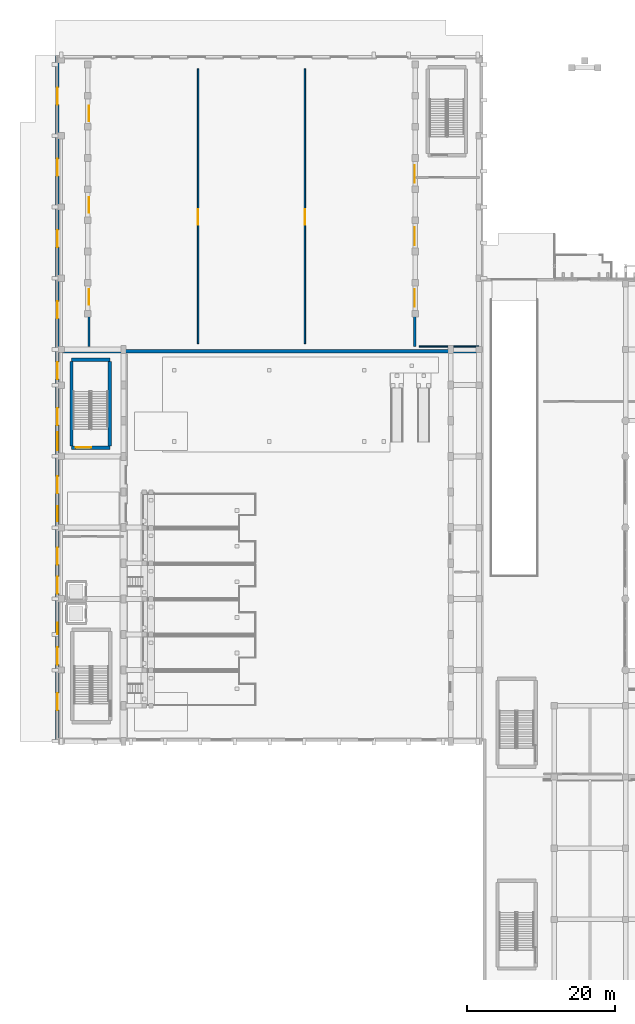
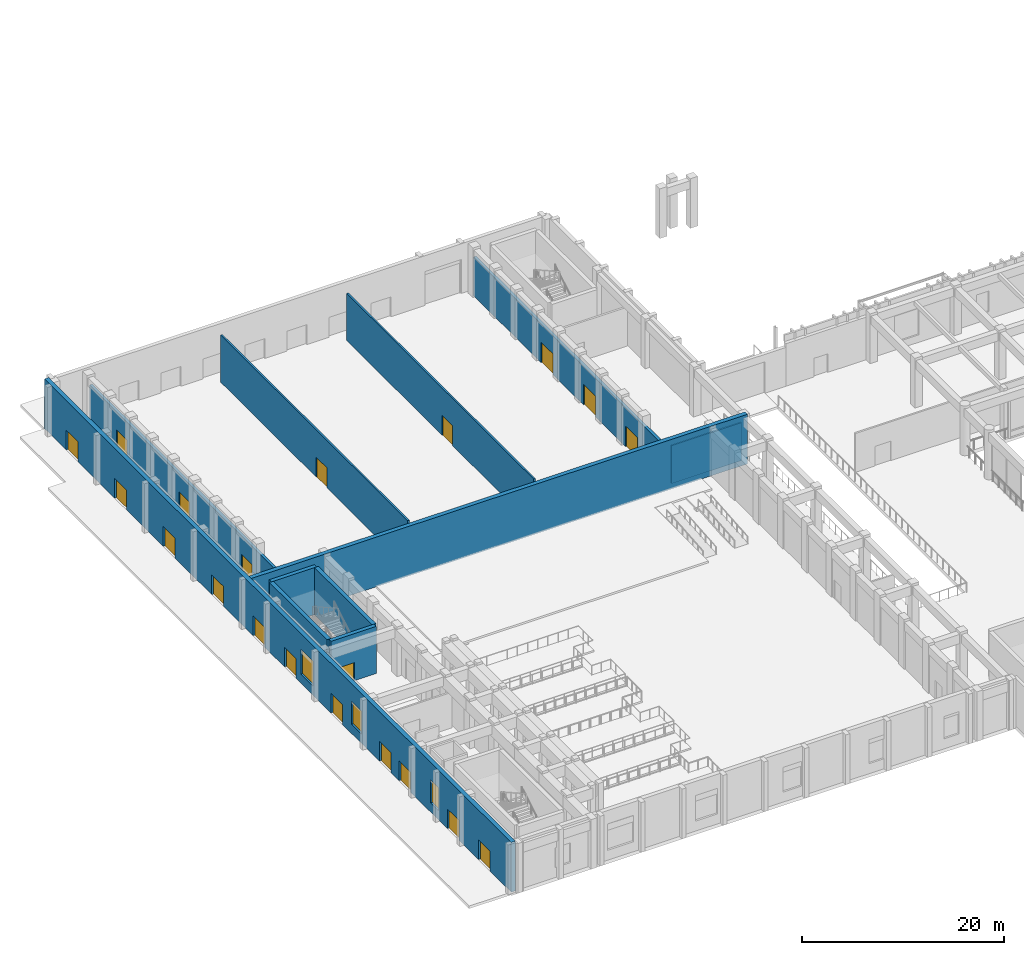
# One storey, part 44 of 87: 20 doors, 11 walls, 3 windows, 23 openings.
"""IFC4 building model written with IfcOpenShell, lengths in metres."""

import ifcopenshell
import ifcopenshell.guid

model = None  # the IFC model being written
_history = None  # IfcOwnerHistory: only IFC2X3 demands one
_inside = {}  # id of a spatial element -> (the spatial element, [elements in it])
_under = {}  # id of a project, library or spatial element -> (it, [spatial elements below it])
_declared = {}  # id of a project -> (the project, [libraries it declares])
_typed = {}  # id of a type object -> (the type object, [elements of that type])
_made_of = {}  # id of a material, layer set ... -> (it, [elements and type objects made of it])


def new_model(schema):
    """Start an empty IFC model of exactly this schema.

    Asked for "IFC4X3", IfcOpenShell would pick the latest addendum, in which some entities
    have other attributes; the version numbers below select the first issue.
    IFC2X3 requires an IfcOwnerHistory on every rooted entity: one is made here for all.
    """
    global model, _history
    if schema == "IFC4X3":
        model = ifcopenshell.file(schema_version=(4, 3, 0, 0))
    else:
        model = ifcopenshell.file(schema=schema)
    _inside.clear()
    _under.clear()
    _declared.clear()
    _typed.clear()
    _made_of.clear()
    _history = None
    if model.schema == "IFC2X3":
        org = make("IfcOrganization", Name="unknown")
        user = make(
            "IfcPersonAndOrganization",
            ThePerson=make("IfcPerson", FamilyName="unknown"),
            TheOrganization=org,
        )
        app = make(
            "IfcApplication",
            ApplicationDeveloper=org,
            Version="unknown",
            ApplicationFullName="unknown",
            ApplicationIdentifier="unknown",
        )
        _history = make(
            "IfcOwnerHistory",
            OwningUser=user,
            OwningApplication=app,
            ChangeAction="ADDED",
            CreationDate=0,
        )
    return model


def make(cls, **values):
    """One entity of the class cls with the attributes given. An attribute that is None is left unset."""
    return model.create_entity(
        cls, **{name: value for name, value in values.items() if value is not None}
    )


def rooted(cls, **values):
    """An entity with a GlobalId (a new one), such as an element, a storey or a relation."""
    return make(cls, GlobalId=ifcopenshell.guid.new(), OwnerHistory=_history, **values)


def si_unit(unit_type, name, prefix=None):
    """IfcSIUnit, for example si_unit("LENGTHUNIT", "METRE", prefix="MILLI")."""
    return make("IfcSIUnit", UnitType=unit_type, Prefix=prefix, Name=name)


def assignment(units):
    """IfcUnitAssignment: the units of a project."""
    return None if units is None else make("IfcUnitAssignment", Units=units)


def point(xyz):
    """IfcCartesianPoint."""
    return None if xyz is None else make("IfcCartesianPoint", Coordinates=xyz)


def direction(xyz):
    """IfcDirection."""
    return None if xyz is None else make("IfcDirection", DirectionRatios=xyz)


def frame(location, z_axis=None, x_axis=None):
    """IfcAxis2Placement3D, a coordinate frame: its origin and axes. An axis left out is left unset."""
    return make(
        "IfcAxis2Placement3D",
        Location=point(location),
        Axis=direction(z_axis),
        RefDirection=direction(x_axis),
    )


def frame_2d(location, x_axis=None):
    """IfcAxis2Placement2D, a coordinate frame in the plane: its origin and x axis."""
    return make(
        "IfcAxis2Placement2D", Location=point(location), RefDirection=direction(x_axis)
    )


def origin():
    """The frame at (0, 0, 0) with its axes left unset."""
    return frame((0.0, 0.0, 0.0))


def place(relative_to, where):
    """IfcLocalPlacement: puts the frame where relative to a parent placement (None: the world)."""
    return make(
        "IfcLocalPlacement", PlacementRelTo=relative_to, RelativePlacement=where
    )


def context(
    kind, dimensions, precision=None, world=None, true_north=None, identifier=None
):
    """IfcGeometricRepresentationContext, for example the 3D "Model" context."""
    return make(
        "IfcGeometricRepresentationContext",
        ContextIdentifier=identifier,
        ContextType=kind,
        CoordinateSpaceDimension=dimensions,
        Precision=precision,
        WorldCoordinateSystem=world,
        TrueNorth=true_north,
    )


def subcontext(parent, identifier, kind, view, scale=None):
    """IfcGeometricRepresentationSubContext, for example "Body" below "Model"."""
    return make(
        "IfcGeometricRepresentationSubContext",
        ContextIdentifier=identifier,
        ContextType=kind,
        ParentContext=parent,
        TargetScale=scale,
        TargetView=view,
    )


def project(units=None, contexts=None):
    """IfcProject with its units and contexts."""
    return rooted(
        "IfcProject",
        Name="project",
        RepresentationContexts=contexts,
        UnitsInContext=assignment(units),
    )


def spatial(cls, under=None, at=None, **own):
    """A site, building, storey or space (cls), placed at a placement, below another one or the project."""
    s = rooted(cls, ObjectPlacement=at, **own)
    if under is not None:
        _under.setdefault(under.id(), (under, []))[1].append(s)
    return s


def profile(cls, at=None, kind="AREA", **sizes):
    """A parametric profile (cls). Its sizes go by their IFC names, for example OverallWidth=200.0."""
    return make(cls, ProfileType=kind, Position=at, **sizes)


def rectangle(**sizes):
    """IfcRectangleProfileDef."""
    return profile("IfcRectangleProfileDef", **sizes)


def extrude(swept, where, along, depth):
    """IfcExtrudedAreaSolid: the profile swept, set in the frame where, extruded along a direction by depth."""
    return make(
        "IfcExtrudedAreaSolid",
        SweptArea=swept,
        Position=where,
        ExtrudedDirection=direction(along),
        Depth=depth,
    )


def shape(context_of_items, identifier, shape_type, items):
    """IfcShapeRepresentation: the items that make up one representation, for example the "Body"."""
    return make(
        "IfcShapeRepresentation",
        ContextOfItems=context_of_items,
        RepresentationIdentifier=identifier,
        RepresentationType=shape_type,
        Items=items,
    )


def material(Name=None, Category=None):
    """IfcMaterial."""
    return make("IfcMaterial", Name=Name, Category=Category)


def layer(
    of_material, thickness, ventilated=None, Name=None, Category=None, Priority=None
):
    """IfcMaterialLayer: one layer of a wall or slab, of a material (None: an air gap)."""
    return make(
        "IfcMaterialLayer",
        Material=of_material,
        LayerThickness=thickness,
        IsVentilated=ventilated,
        Name=Name,
        Category=Category,
        Priority=Priority,
    )


def layer_set(layers, Name=None):
    """IfcMaterialLayerSet."""
    return make("IfcMaterialLayerSet", MaterialLayers=layers, LayerSetName=Name)


def made_of(thing, what):
    """Note that an element or type object is made of a material, layer set ...; save() writes the relation."""
    if what is not None:
        _made_of.setdefault(what.id(), (what, []))[1].append(thing)
    return thing


def type_object(cls, material=None, **own):
    """A type object (cls), such as IfcWallType, which elements share."""
    return made_of(rooted(cls, **own), material)


def element(
    cls,
    number,
    at=None,
    inside=None,
    cuts=None,
    type_object=None,
    material=None,
    context=None,
    identifier="Body",
    shape_type=None,
    held_by="IfcProductDefinitionShape",
    body=None,
    shapes=None,
    **own,
):
    """One element of the class cls, such as IfcWall. Its Tag is "e" and its number.

    at: its placement. inside: the storey or other place that contains it. cuts: it is an
    opening in that element (IfcRelVoidsElement). A single representation is given by context,
    identifier, shape_type and body (its items); several are given by shapes. held_by: the class
    of the entity that holds the representations. save() writes the other relations.
    """
    e = rooted(cls, Tag="e%d" % number, ObjectPlacement=at, **own)
    if body is not None:
        shapes = [shape(context, identifier, shape_type, body)]
    if shapes is not None:
        e.Representation = make(held_by, Representations=shapes)
    if inside is not None:
        _inside.setdefault(inside.id(), (inside, []))[1].append(e)
    if cuts is not None:
        rooted(
            "IfcRelVoidsElement", RelatingBuildingElement=cuts, RelatedOpeningElement=e
        )
    if type_object is not None:
        _typed.setdefault(type_object.id(), (type_object, []))[1].append(e)
    return made_of(e, material)


def fill(opening, filler):
    """IfcRelFillsElement: the door or window that sits in an opening."""
    return rooted(
        "IfcRelFillsElement",
        RelatingOpeningElement=opening,
        RelatedBuildingElement=filler,
    )


def aggregate(whole, parts):
    """IfcRelAggregates: a whole, such as a stair, and the parts it consists of."""
    return rooted("IfcRelAggregates", RelatingObject=whole, RelatedObjects=parts)


def save(model, path):
    """Write the relations noted so far, then the file.

    IfcRelAggregates (storeys below a building ...), IfcRelContainedInSpatialStructure (elements
    in a storey), IfcRelDefinesByType, IfcRelAssociatesMaterial and IfcRelDeclares: one each for
    every whole, place, type object, material and project.
    """
    for whole, parts in _under.values():
        aggregate(whole, parts)
    for where, things in _inside.values():
        rooted(
            "IfcRelContainedInSpatialStructure",
            RelatedElements=things,
            RelatingStructure=where,
        )
    for kind, things in _typed.values():
        rooted("IfcRelDefinesByType", RelatedObjects=things, RelatingType=kind)
    for what, things in _made_of.values():
        rooted("IfcRelAssociatesMaterial", RelatedObjects=things, RelatingMaterial=what)
    for by, libraries in _declared.values():
        rooted("IfcRelDeclares", RelatingContext=by, RelatedDefinitions=libraries)
    model.write(path)


model = new_model("IFC4")

# Units and contexts
model_context = context("Model", 3, precision=1e-05, world=origin(), true_north=direction((0.0, 1.0)))
body_context = subcontext(model_context, "Body", "Model", "MODEL_VIEW")
ifc_project = project(units=[si_unit("LENGTHUNIT", "METRE"), si_unit("AREAUNIT", "SQUARE_METRE"), si_unit("VOLUMEUNIT", "CUBIC_METRE"), si_unit("PLANEANGLEUNIT", "RADIAN"), si_unit("MASSUNIT", "GRAM", prefix="KILO")], contexts=[model_context])

# Site, building, storey
site_placement = place(None, origin())
site = spatial("IfcSite", under=ifc_project, at=site_placement, CompositionType="ELEMENT")
building_placement = place(site_placement, origin())
building = spatial("IfcBuilding", under=site, at=building_placement, Name="Nakhvara Creek Congress Hotel", CompositionType="ELEMENT")
storey_placement = place(building_placement, origin())
storey = spatial("IfcBuildingStorey", under=building, at=storey_placement, Name="L00", CompositionType="ELEMENT", Elevation=0.0)

# Wall, opening, door
ifc_material_1 = material(Name="Concrete C50/60", Category="concrete")
ifc_layer_1 = layer(ifc_material_1, 0.449951171875)
ifc_layer_set_1 = layer_set([ifc_layer_1], Name="Concrete C50/60")
wall_type_1 = type_object("IfcWallType", Name="W-CORE-450", PredefinedType="SHEAR", material=ifc_layer_set_1)
wall_1_placement = place(storey_placement, frame((2.14990234375, 73.179931640625, 0.0), z_axis=(0.0, 0.0, 1.0), x_axis=(1.0, 0.0, 0.0)))
wall_1 = element("IfcWall", 1, at=wall_1_placement, inside=storey, type_object=wall_type_1, Name="Core Shear Wall WS02-CWALL-L00-0855", PredefinedType="SHEAR", context=body_context, shape_type="SweptSolid", body=[
    extrude(rectangle(XDim=5.150146484375, YDim=0.449951171875, at=frame_2d((2.5751953125, 0.0))), origin(), (0.0, 0.0, 1.0), 5.699951171875),
])
opening_1_placement = place(wall_1_placement, frame((0.550048828125, 0.0, 0.0)))
opening_1 = element("IfcOpeningElement", 2, at=opening_1_placement, cuts=wall_1, Name="Opening FD19", PredefinedType="OPENING", context=body_context, shape_type="SweptSolid", body=[
    extrude(rectangle(XDim=2.10009765625, YDim=2.199951171875, at=frame_2d((1.050048828125, 1.10009765625))), frame((0.0, 0.23681640625, 0.0), z_axis=(0.0, -1.0, 0.0), x_axis=(1.0, 0.0, 0.0)), (0.0, 0.0, 1.0), 0.473876953125),
])
ifc_material_2 = material(Name="Galvanised steel acoustic fire door", Category="steel")
door_type_1 = type_object("IfcDoorType", Name="DT-STAIR-220", OperationType="DOUBLE_DOOR_SINGLE_SWING", PredefinedType="DOOR", material=ifc_material_2)
door_1_placement = place(opening_1_placement, frame((2.10009765625, 0.0, 0.0), z_axis=(0.0, 0.0, 1.0), x_axis=(-1.0, 0.0, 0.0)))
door_1 = element("IfcDoor", 3, at=door_1_placement, inside=storey, type_object=door_type_1, Name="Stair Exit Door ST07-L00", OperationType="DOUBLE_DOOR_SINGLE_SWING", OverallHeight=2.199951171875, OverallWidth=2.10009765625, PredefinedType="DOOR", context=body_context, shape_type="SweptSolid", body=[
    extrude(rectangle(XDim=2.10009765625, YDim=2.199951171875, at=frame_2d((1.050048828125, 1.10009765625))), frame((0.0, 0.02490234375, 0.0), z_axis=(0.0, -1.0, 0.0), x_axis=(1.0, 0.0, 0.0)), (0.0, 0.0, 1.0), 0.050048828125),
])
fill(opening_1, door_1)

# Walls
wall_2_placement = place(storey_placement, frame((2.14990234375, 85.02001953125, 0.0), z_axis=(0.0, 0.0, 1.0), x_axis=(1.0, 0.0, 0.0)))
element("IfcWall", 4, at=wall_2_placement, inside=storey, type_object=wall_type_1, Name="Core Shear Wall WS02-CWALL-L00-0856", PredefinedType="SHEAR", context=body_context, shape_type="SweptSolid", body=[
    extrude(rectangle(XDim=5.150146484375, YDim=0.449951171875, at=frame_2d((2.5751953125, 0.0))), origin(), (0.0, 0.0, 1.0), 5.699951171875),
])
for number, where, z_axis, x_axis, name in (
    (5, (2.14990234375, 73.39990234375, 0.0), (0.0, 0.0, 1.0), (0.0, 1.0, 0.0), "Core Shear Wall WS02-CWALL-L00-0857"),
    (6, (7.300048828125, 73.39990234375, 0.0), (0.0, 0.0, 1.0), (0.0, 1.0, 0.0), "Core Shear Wall WS02-CWALL-L00-0858"),
):
    element("IfcWall", number, at=place(storey_placement, frame(where, z_axis=z_axis, x_axis=x_axis)), inside=storey, type_object=wall_type_1, Name=name, PredefinedType="SHEAR", context=body_context, shape_type="SweptSolid", body=[
        extrude(rectangle(XDim=11.400146484375, YDim=0.449951171875, at=frame_2d((5.7001953125, 0.0))), origin(), (0.0, 0.0, 1.0), 5.699951171875),
    ])

# Wall, openings, doors, windows
ifc_material_3 = material(Name="Honed pale Omani limestone cladding", Category="masonry")
ifc_layer_2 = layer(ifc_material_3, 0.06005859375)
ifc_material_4 = material(Name="Mineral wool thermal insulation")
ifc_layer_3 = layer(ifc_material_4, 0.1201171875)
ifc_material_5 = material(Name="Precast concrete C40/50", Category="concrete")
ifc_layer_4 = layer(ifc_material_5, 0.300048828125)
ifc_layer_set_2 = layer_set([ifc_layer_2, ifc_layer_3, ifc_layer_4], Name="Precast concrete C40/50")
wall_type_2 = type_object("IfcWallType", Name="W-HALL-480", PredefinedType="SOLIDWALL", material=ifc_layer_set_2)
wall_3_placement = place(storey_placement, frame((0.239990234375, 33.60009765625, 0.0), z_axis=(0.0, 0.0, 1.0), x_axis=(0.0, 1.0, 0.0)))
wall_3 = element("IfcWall", 7, at=wall_3_placement, inside=storey, type_object=wall_type_2, Name="Exterior Wall WE01-EW-L00-0024", PredefinedType="SOLIDWALL", context=body_context, shape_type="SweptSolid", body=[
    extrude(rectangle(XDim=92.39990234375, YDim=0.47998046875, at=frame_2d((46.199951171875, 0.0))), origin(), (0.0, 0.0, 1.0), 6.0),
])
opening_2_placement = place(wall_3_placement, frame((4.199951171875, 0.0, 0.0)))
opening_2 = element("IfcOpeningElement", 8, at=opening_2_placement, cuts=wall_3, Name="Opening E01", PredefinedType="OPENING", context=body_context, shape_type="SweptSolid", body=[
    extrude(rectangle(XDim=2.300048828125, YDim=2.39990234375, at=frame_2d((1.14990234375, 1.199951171875))), frame((0.0, 0.251953125, 0.0), z_axis=(0.0, -1.0, 0.0), x_axis=(1.0, 0.0, 0.0)), (0.0, 0.0, 1.0), 0.50390625),
])
opening_3_placement = place(wall_3_placement, frame((10.35009765625, 0.0, 0.0)))
opening_3 = element("IfcOpeningElement", 9, at=opening_3_placement, cuts=wall_3, Name="Opening E02", PredefinedType="OPENING", context=body_context, shape_type="SweptSolid", body=[
    extrude(rectangle(XDim=2.300048828125, YDim=2.39990234375, at=frame_2d((1.14990234375, 1.199951171875))), frame((0.0, 0.251953125, 0.0), z_axis=(0.0, -1.0, 0.0), x_axis=(1.0, 0.0, 0.0)), (0.0, 0.0, 1.0), 0.50390625),
])
opening_4_placement = place(wall_3_placement, frame((19.89990234375, 0.0, 0.0)))
opening_4 = element("IfcOpeningElement", 10, at=opening_4_placement, cuts=wall_3, Name="Opening E03", PredefinedType="OPENING", context=body_context, shape_type="SweptSolid", body=[
    extrude(rectangle(XDim=2.300048828125, YDim=2.39990234375, at=frame_2d((1.14990234375, 1.199951171875))), frame((0.0, 0.251953125, 0.0), z_axis=(0.0, -1.0, 0.0), x_axis=(1.0, 0.0, 0.0)), (0.0, 0.0, 1.0), 0.50390625),
])
opening_5_placement = place(wall_3_placement, frame((23.800048828125, 0.0, 0.0)))
opening_5 = element("IfcOpeningElement", 11, at=opening_5_placement, cuts=wall_3, Name="Opening E04", PredefinedType="OPENING", context=body_context, shape_type="SweptSolid", body=[
    extrude(rectangle(XDim=2.300048828125, YDim=2.39990234375, at=frame_2d((1.14990234375, 1.199951171875))), frame((0.0, 0.251953125, 0.0), z_axis=(0.0, -1.0, 0.0), x_axis=(1.0, 0.0, 0.0)), (0.0, 0.0, 1.0), 0.50390625),
])
opening_6_placement = place(wall_3_placement, frame((33.39990234375, 0.0, 0.0)))
opening_6 = element("IfcOpeningElement", 12, at=opening_6_placement, cuts=wall_3, Name="Opening E05", PredefinedType="OPENING", context=body_context, shape_type="SweptSolid", body=[
    extrude(rectangle(XDim=2.300048828125, YDim=2.39990234375, at=frame_2d((1.14990234375, 1.199951171875))), frame((0.0, 0.251953125, 0.0), z_axis=(0.0, -1.0, 0.0), x_axis=(1.0, 0.0, 0.0)), (0.0, 0.0, 1.0), 0.50390625),
])
opening_7_placement = place(wall_3_placement, frame((42.60009765625, 0.0, 0.0)))
opening_7 = element("IfcOpeningElement", 13, at=opening_7_placement, cuts=wall_3, Name="Opening E06", PredefinedType="OPENING", context=body_context, shape_type="SweptSolid", body=[
    extrude(rectangle(XDim=2.300048828125, YDim=2.39990234375, at=frame_2d((1.14990234375, 1.199951171875))), frame((0.0, 0.251953125, 0.0), z_axis=(0.0, -1.0, 0.0), x_axis=(1.0, 0.0, 0.0)), (0.0, 0.0, 1.0), 0.50390625),
])
opening_8_placement = place(wall_3_placement, frame((48.800048828125, 0.0, 0.0)))
opening_8 = element("IfcOpeningElement", 14, at=opening_8_placement, cuts=wall_3, Name="Opening E07", PredefinedType="OPENING", context=body_context, shape_type="SweptSolid", body=[
    extrude(rectangle(XDim=2.300048828125, YDim=2.39990234375, at=frame_2d((1.14990234375, 1.199951171875))), frame((0.0, 0.251953125, 0.0), z_axis=(0.0, -1.0, 0.0), x_axis=(1.0, 0.0, 0.0)), (0.0, 0.0, 1.0), 0.50390625),
])
opening_9_placement = place(wall_3_placement, frame((57.0, 0.0, 0.0)))
opening_9 = element("IfcOpeningElement", 15, at=opening_9_placement, cuts=wall_3, Name="Opening E08", PredefinedType="OPENING", context=body_context, shape_type="SweptSolid", body=[
    extrude(rectangle(XDim=2.300048828125, YDim=2.39990234375, at=frame_2d((1.14990234375, 1.199951171875))), frame((0.0, 0.251953125, 0.0), z_axis=(0.0, -1.0, 0.0), x_axis=(1.0, 0.0, 0.0)), (0.0, 0.0, 1.0), 0.50390625),
])
opening_10_placement = place(wall_3_placement, frame((66.60009765625, 0.0, 0.0)))
opening_10 = element("IfcOpeningElement", 16, at=opening_10_placement, cuts=wall_3, Name="Opening E09", PredefinedType="OPENING", context=body_context, shape_type="SweptSolid", body=[
    extrude(rectangle(XDim=2.300048828125, YDim=2.39990234375, at=frame_2d((1.14990234375, 1.199951171875))), frame((0.0, 0.251953125, 0.0), z_axis=(0.0, -1.0, 0.0), x_axis=(1.0, 0.0, 0.0)), (0.0, 0.0, 1.0), 0.50390625),
])
opening_11_placement = place(wall_3_placement, frame((76.199951171875, 0.0, 0.0)))
opening_11 = element("IfcOpeningElement", 17, at=opening_11_placement, cuts=wall_3, Name="Opening E10", PredefinedType="OPENING", context=body_context, shape_type="SweptSolid", body=[
    extrude(rectangle(XDim=2.300048828125, YDim=2.39990234375, at=frame_2d((1.14990234375, 1.199951171875))), frame((0.0, 0.251953125, 0.0), z_axis=(0.0, -1.0, 0.0), x_axis=(1.0, 0.0, 0.0)), (0.0, 0.0, 1.0), 0.50390625),
])
opening_12_placement = place(wall_3_placement, frame((85.800048828125, 0.0, 0.0)))
opening_12 = element("IfcOpeningElement", 18, at=opening_12_placement, cuts=wall_3, Name="Opening E11", PredefinedType="OPENING", context=body_context, shape_type="SweptSolid", body=[
    extrude(rectangle(XDim=2.300048828125, YDim=2.39990234375, at=frame_2d((1.14990234375, 1.199951171875))), frame((0.0, 0.251953125, 0.0), z_axis=(0.0, -1.0, 0.0), x_axis=(1.0, 0.0, 0.0)), (0.0, 0.0, 1.0), 0.50390625),
])
opening_13_placement = place(wall_3_placement, frame((14.39990234375, 0.0, 1.10009765625)))
opening_13 = element("IfcOpeningElement", 19, at=opening_13_placement, cuts=wall_3, Name="Opening WN0005", PredefinedType="OPENING", context=body_context, shape_type="SweptSolid", body=[
    extrude(rectangle(XDim=1.60009765625, YDim=2.800048828125, at=frame_2d((0.800048828125, 1.39990234375))), frame((0.0, 0.251953125, 0.0), z_axis=(0.0, -1.0, 0.0), x_axis=(1.0, 0.0, 0.0)), (0.0, 0.0, 1.0), 0.50390625),
])
opening_14_placement = place(wall_3_placement, frame((29.64990234375, 0.0, 1.10009765625)))
opening_14 = element("IfcOpeningElement", 20, at=opening_14_placement, cuts=wall_3, Name="Opening WN0006", PredefinedType="OPENING", context=body_context, shape_type="SweptSolid", body=[
    extrude(rectangle(XDim=2.0, YDim=2.800048828125, at=frame_2d((1.0, 1.39990234375))), frame((0.0, 0.251953125, 0.0), z_axis=(0.0, -1.0, 0.0), x_axis=(1.0, 0.0, 0.0)), (0.0, 0.0, 1.0), 0.50390625),
])
opening_15_placement = place(wall_3_placement, frame((39.25, 0.0, 1.10009765625)))
opening_15 = element("IfcOpeningElement", 21, at=opening_15_placement, cuts=wall_3, Name="Opening WN0007", PredefinedType="OPENING", context=body_context, shape_type="SweptSolid", body=[
    extrude(rectangle(XDim=2.39990234375, YDim=3.0, at=frame_2d((1.199951171875, 1.5))), frame((0.0, 0.251953125, 0.0), z_axis=(0.0, -1.0, 0.0), x_axis=(1.0, 0.0, 0.0)), (0.0, 0.0, 1.0), 0.50390625),
])
ifc_material_6 = material(Name="Bronze-anodised aluminium and laminated low-E glass", Category="aluminium")
door_type_2 = type_object("IfcDoorType", Name="DT-EXT-E230", OperationType="DOUBLE_DOOR_SINGLE_SWING", PredefinedType="DOOR", material=ifc_material_6)
door_2_placement = place(opening_2_placement, origin())
door_2 = element("IfcDoor", 22, at=door_2_placement, inside=storey, type_object=door_type_2, Name="Main Final Exit E01", OperationType="DOUBLE_DOOR_SINGLE_SWING", OverallHeight=2.39990234375, OverallWidth=2.300048828125, PredefinedType="DOOR", context=body_context, shape_type="SweptSolid", body=[
    extrude(rectangle(XDim=2.300048828125, YDim=2.39990234375, at=frame_2d((1.14990234375, 1.199951171875))), frame((0.0, 0.02490234375, 0.0), z_axis=(0.0, -1.0, 0.0), x_axis=(1.0, 0.0, 0.0)), (0.0, 0.0, 1.0), 0.050048828125),
])
fill(opening_2, door_2)
door_3_placement = place(opening_3_placement, origin())
door_3 = element("IfcDoor", 23, at=door_3_placement, inside=storey, type_object=door_type_2, Name="Main Final Exit E02", OperationType="DOUBLE_DOOR_SINGLE_SWING", OverallHeight=2.39990234375, OverallWidth=2.300048828125, PredefinedType="DOOR", context=body_context, shape_type="SweptSolid", body=[
    extrude(rectangle(XDim=2.300048828125, YDim=2.39990234375, at=frame_2d((1.14990234375, 1.199951171875))), frame((0.0, 0.02490234375, 0.0), z_axis=(0.0, -1.0, 0.0), x_axis=(1.0, 0.0, 0.0)), (0.0, 0.0, 1.0), 0.050048828125),
])
fill(opening_3, door_3)
door_4_placement = place(opening_4_placement, origin())
door_4 = element("IfcDoor", 24, at=door_4_placement, inside=storey, type_object=door_type_2, Name="Main Final Exit E03", OperationType="DOUBLE_DOOR_SINGLE_SWING", OverallHeight=2.39990234375, OverallWidth=2.300048828125, PredefinedType="DOOR", context=body_context, shape_type="SweptSolid", body=[
    extrude(rectangle(XDim=2.300048828125, YDim=2.39990234375, at=frame_2d((1.14990234375, 1.199951171875))), frame((0.0, 0.02490234375, 0.0), z_axis=(0.0, -1.0, 0.0), x_axis=(1.0, 0.0, 0.0)), (0.0, 0.0, 1.0), 0.050048828125),
])
fill(opening_4, door_4)
door_5_placement = place(opening_5_placement, origin())
door_5 = element("IfcDoor", 25, at=door_5_placement, inside=storey, type_object=door_type_2, Name="Main Final Exit E04", OperationType="DOUBLE_DOOR_SINGLE_SWING", OverallHeight=2.39990234375, OverallWidth=2.300048828125, PredefinedType="DOOR", context=body_context, shape_type="SweptSolid", body=[
    extrude(rectangle(XDim=2.300048828125, YDim=2.39990234375, at=frame_2d((1.14990234375, 1.199951171875))), frame((0.0, 0.02490234375, 0.0), z_axis=(0.0, -1.0, 0.0), x_axis=(1.0, 0.0, 0.0)), (0.0, 0.0, 1.0), 0.050048828125),
])
fill(opening_5, door_5)
door_6_placement = place(opening_6_placement, origin())
door_6 = element("IfcDoor", 26, at=door_6_placement, inside=storey, type_object=door_type_2, Name="Main Final Exit E05", OperationType="DOUBLE_DOOR_SINGLE_SWING", OverallHeight=2.39990234375, OverallWidth=2.300048828125, PredefinedType="DOOR", context=body_context, shape_type="SweptSolid", body=[
    extrude(rectangle(XDim=2.300048828125, YDim=2.39990234375, at=frame_2d((1.14990234375, 1.199951171875))), frame((0.0, 0.02490234375, 0.0), z_axis=(0.0, -1.0, 0.0), x_axis=(1.0, 0.0, 0.0)), (0.0, 0.0, 1.0), 0.050048828125),
])
fill(opening_6, door_6)
door_7_placement = place(opening_7_placement, origin())
door_7 = element("IfcDoor", 27, at=door_7_placement, inside=storey, type_object=door_type_2, Name="Main Final Exit E06", OperationType="DOUBLE_DOOR_SINGLE_SWING", OverallHeight=2.39990234375, OverallWidth=2.300048828125, PredefinedType="DOOR", context=body_context, shape_type="SweptSolid", body=[
    extrude(rectangle(XDim=2.300048828125, YDim=2.39990234375, at=frame_2d((1.14990234375, 1.199951171875))), frame((0.0, 0.02490234375, 0.0), z_axis=(0.0, -1.0, 0.0), x_axis=(1.0, 0.0, 0.0)), (0.0, 0.0, 1.0), 0.050048828125),
])
fill(opening_7, door_7)
door_8_placement = place(opening_8_placement, origin())
door_8 = element("IfcDoor", 28, at=door_8_placement, inside=storey, type_object=door_type_2, Name="Main Final Exit E07", OperationType="DOUBLE_DOOR_SINGLE_SWING", OverallHeight=2.39990234375, OverallWidth=2.300048828125, PredefinedType="DOOR", context=body_context, shape_type="SweptSolid", body=[
    extrude(rectangle(XDim=2.300048828125, YDim=2.39990234375, at=frame_2d((1.14990234375, 1.199951171875))), frame((0.0, 0.02490234375, 0.0), z_axis=(0.0, -1.0, 0.0), x_axis=(1.0, 0.0, 0.0)), (0.0, 0.0, 1.0), 0.050048828125),
])
fill(opening_8, door_8)
door_9_placement = place(opening_9_placement, origin())
door_9 = element("IfcDoor", 29, at=door_9_placement, inside=storey, type_object=door_type_2, Name="Main Final Exit E08", OperationType="DOUBLE_DOOR_SINGLE_SWING", OverallHeight=2.39990234375, OverallWidth=2.300048828125, PredefinedType="DOOR", context=body_context, shape_type="SweptSolid", body=[
    extrude(rectangle(XDim=2.300048828125, YDim=2.39990234375, at=frame_2d((1.14990234375, 1.199951171875))), frame((0.0, 0.02490234375, 0.0), z_axis=(0.0, -1.0, 0.0), x_axis=(1.0, 0.0, 0.0)), (0.0, 0.0, 1.0), 0.050048828125),
])
fill(opening_9, door_9)
door_10_placement = place(opening_10_placement, origin())
door_10 = element("IfcDoor", 30, at=door_10_placement, inside=storey, type_object=door_type_2, Name="Main Final Exit E09", OperationType="DOUBLE_DOOR_SINGLE_SWING", OverallHeight=2.39990234375, OverallWidth=2.300048828125, PredefinedType="DOOR", context=body_context, shape_type="SweptSolid", body=[
    extrude(rectangle(XDim=2.300048828125, YDim=2.39990234375, at=frame_2d((1.14990234375, 1.199951171875))), frame((0.0, 0.02490234375, 0.0), z_axis=(0.0, -1.0, 0.0), x_axis=(1.0, 0.0, 0.0)), (0.0, 0.0, 1.0), 0.050048828125),
])
fill(opening_10, door_10)
door_11_placement = place(opening_11_placement, origin())
door_11 = element("IfcDoor", 31, at=door_11_placement, inside=storey, type_object=door_type_2, Name="Main Final Exit E10", OperationType="DOUBLE_DOOR_SINGLE_SWING", OverallHeight=2.39990234375, OverallWidth=2.300048828125, PredefinedType="DOOR", context=body_context, shape_type="SweptSolid", body=[
    extrude(rectangle(XDim=2.300048828125, YDim=2.39990234375, at=frame_2d((1.14990234375, 1.199951171875))), frame((0.0, 0.02490234375, 0.0), z_axis=(0.0, -1.0, 0.0), x_axis=(1.0, 0.0, 0.0)), (0.0, 0.0, 1.0), 0.050048828125),
])
fill(opening_11, door_11)
door_12_placement = place(opening_12_placement, origin())
door_12 = element("IfcDoor", 32, at=door_12_placement, inside=storey, type_object=door_type_2, Name="Main Final Exit E11", OperationType="DOUBLE_DOOR_SINGLE_SWING", OverallHeight=2.39990234375, OverallWidth=2.300048828125, PredefinedType="DOOR", context=body_context, shape_type="SweptSolid", body=[
    extrude(rectangle(XDim=2.300048828125, YDim=2.39990234375, at=frame_2d((1.14990234375, 1.199951171875))), frame((0.0, 0.02490234375, 0.0), z_axis=(0.0, -1.0, 0.0), x_axis=(1.0, 0.0, 0.0)), (0.0, 0.0, 1.0), 0.050048828125),
])
fill(opening_12, door_12)
ifc_material_7 = material(Name="Thermally broken bronze-anodised aluminium and double-silver low-E insulated glass", Category="aluminium")
window_type_1 = type_object("IfcWindowType", Name="WN-POD-160X280", PartitioningType="SINGLE_PANEL", PredefinedType="WINDOW", material=ifc_material_7)
window_1_placement = place(opening_13_placement, origin())
window_1 = element("IfcWindow", 33, at=window_1_placement, inside=storey, type_object=window_type_1, Name="Facade Window WN0005", OverallHeight=2.800048828125, OverallWidth=1.60009765625, PartitioningType="SINGLE_PANEL", PredefinedType="WINDOW", context=body_context, shape_type="SweptSolid", body=[
    extrude(rectangle(XDim=1.60009765625, YDim=2.800048828125, at=frame_2d((0.800048828125, 1.39990234375))), frame((0.0, 0.030029296875, 0.0), z_axis=(0.0, -1.0, 0.0), x_axis=(1.0, 0.0, 0.0)), (0.0, 0.0, 1.0), 0.06005859375),
])
fill(opening_13, window_1)
window_type_2 = type_object("IfcWindowType", Name="WN-POD-200X280", PartitioningType="SINGLE_PANEL", PredefinedType="WINDOW", material=ifc_material_7)
window_2_placement = place(opening_14_placement, origin())
window_2 = element("IfcWindow", 34, at=window_2_placement, inside=storey, type_object=window_type_2, Name="Facade Window WN0006", OverallHeight=2.800048828125, OverallWidth=2.0, PartitioningType="SINGLE_PANEL", PredefinedType="WINDOW", context=body_context, shape_type="SweptSolid", body=[
    extrude(rectangle(XDim=2.0, YDim=2.800048828125, at=frame_2d((1.0, 1.39990234375))), frame((0.0, 0.030029296875, 0.0), z_axis=(0.0, -1.0, 0.0), x_axis=(1.0, 0.0, 0.0)), (0.0, 0.0, 1.0), 0.06005859375),
])
fill(opening_14, window_2)
window_type_3 = type_object("IfcWindowType", Name="WN-POD-240X300", PartitioningType="SINGLE_PANEL", PredefinedType="WINDOW", material=ifc_material_7)
window_3_placement = place(opening_15_placement, origin())
window_3 = element("IfcWindow", 35, at=window_3_placement, inside=storey, type_object=window_type_3, Name="Facade Window WN0007", OverallHeight=3.0, OverallWidth=2.39990234375, PartitioningType="SINGLE_PANEL", PredefinedType="WINDOW", context=body_context, shape_type="SweptSolid", body=[
    extrude(rectangle(XDim=2.39990234375, YDim=3.0, at=frame_2d((1.199951171875, 1.5))), frame((0.0, 0.030029296875, 0.0), z_axis=(0.0, -1.0, 0.0), x_axis=(1.0, 0.0, 0.0)), (0.0, 0.0, 1.0), 0.06005859375),
])
fill(opening_15, window_3)

# Walls
wall_4_placement = place(storey_placement, frame((0.5, 86.159912109375, 0.0), z_axis=(0.0, 0.0, 1.0), x_axis=(1.0, 0.0, 0.0)))
element("IfcWall", 36, at=wall_4_placement, inside=storey, type_object=wall_type_2, Name="Exterior Wall WE01-EW-L00-0036", PredefinedType="SOLIDWALL", context=body_context, shape_type="SweptSolid", body=[
    extrude(rectangle(XDim=56.699951171875, YDim=0.47998046875, at=frame_2d((28.35009765625, 0.0))), origin(), (0.0, 0.0, 1.0), 6.0),
])
ifc_material_8 = material(Name="Gypsum acoustic board on steel stud", Category="steel")
ifc_layer_5 = layer(ifc_material_8, 0.179931640625)
ifc_layer_set_3 = layer_set([ifc_layer_5], Name="Gypsum acoustic board on steel stud")
wall_type_3 = type_object("IfcWallType", Name="W-MEET-180", PredefinedType="PARTITIONING", material=ifc_layer_set_3)
wall_5_placement = place(storey_placement, frame((49.0, 86.800048828125, 0.0), z_axis=(0.0, 0.0, 1.0), x_axis=(1.0, 0.0, 0.0)))
element("IfcWall", 37, at=wall_5_placement, inside=storey, type_object=wall_type_3, Name="Interior Wall WP13-IW-L00-0058", PredefinedType="PARTITIONING", context=body_context, shape_type="SweptSolid", body=[
    extrude(rectangle(XDim=8.0, YDim=0.179931640625, at=frame_2d((4.0, 0.0))), origin(), (0.0, 0.0, 1.0), 4.592041015625),
])

# Wall, opening, door
ifc_layer_6 = layer(ifc_material_8, 0.199951171875)
ifc_layer_set_4 = layer_set([ifc_layer_6], Name="Gypsum acoustic board on steel stud")
wall_type_4 = type_object("IfcWallType", Name="W-PART-200", PredefinedType="PARTITIONING", material=ifc_layer_set_4)
wall_6_placement = place(storey_placement, frame((19.199951171875, 87.199951171875, 0.0), z_axis=(0.0, 0.0, 1.0), x_axis=(0.0, 1.0, 0.0)))
wall_6 = element("IfcWall", 38, at=wall_6_placement, inside=storey, type_object=wall_type_4, Name="Interior Wall WP12-IW-L00-0005", PredefinedType="PARTITIONING", context=body_context, shape_type="SweptSolid", body=[
    extrude(rectangle(XDim=37.0, YDim=0.199951171875, at=frame_2d((18.5, 0.0))), origin(), (0.0, 0.0, 1.0), 5.699951171875),
])
opening_16_placement = place(wall_6_placement, frame((16.0, 0.0, 0.0)))
opening_16 = element("IfcOpeningElement", 39, at=opening_16_placement, cuts=wall_6, Name="Opening FD09", PredefinedType="OPENING", context=body_context, shape_type="SweptSolid", body=[
    extrude(rectangle(XDim=2.10009765625, YDim=2.39990234375, at=frame_2d((1.050048828125, 1.199951171875))), frame((0.0, 0.11181640625, 0.0), z_axis=(0.0, -1.0, 0.0), x_axis=(1.0, 0.0, 0.0)), (0.0, 0.0, 1.0), 0.223876953125),
])
ifc_material_9 = material(Name="Acoustic hardwood and steel core fire door", Category="steel")
door_type_3 = type_object("IfcDoorType", Name="DT-HALL-210", OperationType="DOUBLE_DOOR_SINGLE_SWING", PredefinedType="DOOR", material=ifc_material_9)
door_13_placement = place(opening_16_placement, origin())
door_13 = element("IfcDoor", 40, at=door_13_placement, inside=storey, type_object=door_type_3, Name="Interior Door FD09-0012", OperationType="DOUBLE_DOOR_SINGLE_SWING", OverallHeight=2.39990234375, OverallWidth=2.10009765625, PredefinedType="DOOR", context=body_context, shape_type="SweptSolid", body=[
    extrude(rectangle(XDim=2.10009765625, YDim=2.39990234375, at=frame_2d((1.050048828125, 1.199951171875))), frame((0.0, 0.02490234375, 0.0), z_axis=(0.0, -1.0, 0.0), x_axis=(1.0, 0.0, 0.0)), (0.0, 0.0, 1.0), 0.050048828125),
])
fill(opening_16, door_13)

wall_7_placement = place(storey_placement, frame((33.60009765625, 87.199951171875, 0.0), z_axis=(0.0, 0.0, 1.0), x_axis=(0.0, 1.0, 0.0)))
wall_7 = element("IfcWall", 41, at=wall_7_placement, inside=storey, type_object=wall_type_4, Name="Interior Wall WP12-IW-L00-0006", PredefinedType="PARTITIONING", context=body_context, shape_type="SweptSolid", body=[
    extrude(rectangle(XDim=37.0, YDim=0.199951171875, at=frame_2d((18.5, 0.0))), origin(), (0.0, 0.0, 1.0), 5.699951171875),
])
opening_17_placement = place(wall_7_placement, frame((16.0, 0.0, 0.0)))
opening_17 = element("IfcOpeningElement", 42, at=opening_17_placement, cuts=wall_7, Name="Opening FD09", PredefinedType="OPENING", context=body_context, shape_type="SweptSolid", body=[
    extrude(rectangle(XDim=2.10009765625, YDim=2.39990234375, at=frame_2d((1.050048828125, 1.199951171875))), frame((0.0, 0.11181640625, 0.0), z_axis=(0.0, -1.0, 0.0), x_axis=(1.0, 0.0, 0.0)), (0.0, 0.0, 1.0), 0.223876953125),
])
door_14_placement = place(opening_17_placement, origin())
door_14 = element("IfcDoor", 43, at=door_14_placement, inside=storey, type_object=door_type_3, Name="Interior Door FD09-0013", OperationType="DOUBLE_DOOR_SINGLE_SWING", OverallHeight=2.39990234375, OverallWidth=2.10009765625, PredefinedType="DOOR", context=body_context, shape_type="SweptSolid", body=[
    extrude(rectangle(XDim=2.10009765625, YDim=2.39990234375, at=frame_2d((1.050048828125, 1.199951171875))), frame((0.0, 0.02490234375, 0.0), z_axis=(0.0, -1.0, 0.0), x_axis=(1.0, 0.0, 0.0)), (0.0, 0.0, 1.0), 0.050048828125),
])
fill(opening_17, door_14)

# Wall, openings, doors
ifc_material_10 = material(Name="Concrete C40/50", Category="concrete")
ifc_layer_7 = layer(ifc_material_10, 0.320068359375)
ifc_layer_set_5 = layer_set([ifc_layer_7], Name="Concrete C40/50")
wall_type_5 = type_object("IfcWallType", Name="W-SEP-320", PredefinedType="SOLIDWALL", material=ifc_layer_set_5)
wall_8_placement = place(storey_placement, frame((4.5, 86.800048828125, 0.0), z_axis=(0.0, 0.0, 1.0), x_axis=(0.0, 1.0, 0.0)))
wall_8 = element("IfcWall", 44, at=wall_8_placement, inside=storey, type_object=wall_type_5, Name="Interior Wall WI01-IW-L00-0003", PredefinedType="SOLIDWALL", context=body_context, shape_type="SweptSolid", body=[
    extrude(rectangle(XDim=37.800048828125, YDim=0.320068359375, at=frame_2d((18.89990234375, 0.0))), origin(), (0.0, 0.0, 1.0), 4.592041015625),
])
opening_18_placement = place(wall_8_placement, frame((5.64990234375, 0.0, 0.0)))
opening_18 = element("IfcOpeningElement", 45, at=opening_18_placement, cuts=wall_8, Name="Opening FD09", PredefinedType="OPENING", context=body_context, shape_type="SweptSolid", body=[
    extrude(rectangle(XDim=2.10009765625, YDim=2.39990234375, at=frame_2d((1.050048828125, 1.199951171875))), frame((0.0, 0.171875, 0.0), z_axis=(0.0, -1.0, 0.0), x_axis=(1.0, 0.0, 0.0)), (0.0, 0.0, 1.0), 0.343994140625),
])
opening_19_placement = place(wall_8_placement, frame((18.0, 0.0, 0.0)))
opening_19 = element("IfcOpeningElement", 46, at=opening_19_placement, cuts=wall_8, Name="Opening FD09", PredefinedType="OPENING", context=body_context, shape_type="SweptSolid", body=[
    extrude(rectangle(XDim=2.10009765625, YDim=2.39990234375, at=frame_2d((1.050048828125, 1.199951171875))), frame((0.0, 0.171875, 0.0), z_axis=(0.0, -1.0, 0.0), x_axis=(1.0, 0.0, 0.0)), (0.0, 0.0, 1.0), 0.343994140625),
])
opening_20_placement = place(wall_8_placement, frame((30.35009765625, 0.0, 0.0)))
opening_20 = element("IfcOpeningElement", 47, at=opening_20_placement, cuts=wall_8, Name="Opening FD09", PredefinedType="OPENING", context=body_context, shape_type="SweptSolid", body=[
    extrude(rectangle(XDim=2.10009765625, YDim=2.39990234375, at=frame_2d((1.050048828125, 1.199951171875))), frame((0.0, 0.171875, 0.0), z_axis=(0.0, -1.0, 0.0), x_axis=(1.0, 0.0, 0.0)), (0.0, 0.0, 1.0), 0.343994140625),
])
door_15_placement = place(opening_18_placement, frame((2.10009765625, 0.0, 0.0), z_axis=(0.0, 0.0, 1.0), x_axis=(-1.0, 0.0, 0.0)))
door_15 = element("IfcDoor", 48, at=door_15_placement, inside=storey, type_object=door_type_3, Name="Interior Door FD09-0006", OperationType="DOUBLE_DOOR_SINGLE_SWING", OverallHeight=2.39990234375, OverallWidth=2.10009765625, PredefinedType="DOOR", context=body_context, shape_type="SweptSolid", body=[
    extrude(rectangle(XDim=2.10009765625, YDim=2.39990234375, at=frame_2d((1.050048828125, 1.199951171875))), frame((0.0, 0.02490234375, 0.0), z_axis=(0.0, -1.0, 0.0), x_axis=(1.0, 0.0, 0.0)), (0.0, 0.0, 1.0), 0.050048828125),
])
fill(opening_18, door_15)
door_16_placement = place(opening_19_placement, frame((2.10009765625, 0.0, 0.0), z_axis=(0.0, 0.0, 1.0), x_axis=(-1.0, 0.0, 0.0)))
door_16 = element("IfcDoor", 49, at=door_16_placement, inside=storey, type_object=door_type_3, Name="Interior Door FD09-0007", OperationType="DOUBLE_DOOR_SINGLE_SWING", OverallHeight=2.39990234375, OverallWidth=2.10009765625, PredefinedType="DOOR", context=body_context, shape_type="SweptSolid", body=[
    extrude(rectangle(XDim=2.10009765625, YDim=2.39990234375, at=frame_2d((1.050048828125, 1.199951171875))), frame((0.0, 0.02490234375, 0.0), z_axis=(0.0, -1.0, 0.0), x_axis=(1.0, 0.0, 0.0)), (0.0, 0.0, 1.0), 0.050048828125),
])
fill(opening_19, door_16)
door_17_placement = place(opening_20_placement, frame((2.10009765625, 0.0, 0.0), z_axis=(0.0, 0.0, 1.0), x_axis=(-1.0, 0.0, 0.0)))
door_17 = element("IfcDoor", 50, at=door_17_placement, inside=storey, type_object=door_type_3, Name="Interior Door FD09-0008", OperationType="DOUBLE_DOOR_SINGLE_SWING", OverallHeight=2.39990234375, OverallWidth=2.10009765625, PredefinedType="DOOR", context=body_context, shape_type="SweptSolid", body=[
    extrude(rectangle(XDim=2.10009765625, YDim=2.39990234375, at=frame_2d((1.050048828125, 1.199951171875))), frame((0.0, 0.02490234375, 0.0), z_axis=(0.0, -1.0, 0.0), x_axis=(1.0, 0.0, 0.0)), (0.0, 0.0, 1.0), 0.050048828125),
])
fill(opening_20, door_17)

wall_9_placement = place(storey_placement, frame((48.39990234375, 86.800048828125, 0.0), z_axis=(0.0, 0.0, 1.0), x_axis=(0.0, 1.0, 0.0)))
wall_9 = element("IfcWall", 51, at=wall_9_placement, inside=storey, type_object=wall_type_5, Name="Interior Wall WI01-IW-L00-0004", PredefinedType="SOLIDWALL", context=body_context, shape_type="SweptSolid", body=[
    extrude(rectangle(XDim=37.800048828125, YDim=0.320068359375, at=frame_2d((18.89990234375, 0.0))), origin(), (0.0, 0.0, 1.0), 4.69189453125),
])
opening_21_placement = place(wall_9_placement, frame((5.35009765625, 0.0, 0.0)))
opening_21 = element("IfcOpeningElement", 52, at=opening_21_placement, cuts=wall_9, Name="Opening FD08", PredefinedType="OPENING", context=body_context, shape_type="SweptSolid", body=[
    extrude(rectangle(XDim=2.39990234375, YDim=2.5, at=frame_2d((1.199951171875, 1.25))), frame((0.0, 0.171875, 0.0), z_axis=(0.0, -1.0, 0.0), x_axis=(1.0, 0.0, 0.0)), (0.0, 0.0, 1.0), 0.343994140625),
])
opening_22_placement = place(wall_9_placement, frame((13.64990234375, 0.0, 0.0)))
opening_22 = element("IfcOpeningElement", 53, at=opening_22_placement, cuts=wall_9, Name="Opening FD08", PredefinedType="OPENING", context=body_context, shape_type="SweptSolid", body=[
    extrude(rectangle(XDim=2.39990234375, YDim=2.5, at=frame_2d((1.199951171875, 1.25))), frame((0.0, 0.171875, 0.0), z_axis=(0.0, -1.0, 0.0), x_axis=(1.0, 0.0, 0.0)), (0.0, 0.0, 1.0), 0.343994140625),
])
opening_23_placement = place(wall_9_placement, frame((22.050048828125, 0.0, 0.0)))
opening_23 = element("IfcOpeningElement", 54, at=opening_23_placement, cuts=wall_9, Name="Opening FD08", PredefinedType="OPENING", context=body_context, shape_type="SweptSolid", body=[
    extrude(rectangle(XDim=2.39990234375, YDim=2.5, at=frame_2d((1.199951171875, 1.25))), frame((0.0, 0.171875, 0.0), z_axis=(0.0, -1.0, 0.0), x_axis=(1.0, 0.0, 0.0)), (0.0, 0.0, 1.0), 0.343994140625),
])
door_type_4 = type_object("IfcDoorType", Name="DT-HALL-240", OperationType="DOUBLE_DOOR_SINGLE_SWING", PredefinedType="DOOR", material=ifc_material_9)
door_18_placement = place(opening_21_placement, origin())
door_18 = element("IfcDoor", 55, at=door_18_placement, inside=storey, type_object=door_type_4, Name="Interior Door FD08-0009", OperationType="DOUBLE_DOOR_SINGLE_SWING", OverallHeight=2.5, OverallWidth=2.39990234375, PredefinedType="DOOR", context=body_context, shape_type="SweptSolid", body=[
    extrude(rectangle(XDim=2.39990234375, YDim=2.5, at=frame_2d((1.199951171875, 1.25))), frame((0.0, 0.02490234375, 0.0), z_axis=(0.0, -1.0, 0.0), x_axis=(1.0, 0.0, 0.0)), (0.0, 0.0, 1.0), 0.050048828125),
])
fill(opening_21, door_18)
door_19_placement = place(opening_22_placement, origin())
door_19 = element("IfcDoor", 56, at=door_19_placement, inside=storey, type_object=door_type_4, Name="Interior Door FD08-0010", OperationType="DOUBLE_DOOR_SINGLE_SWING", OverallHeight=2.5, OverallWidth=2.39990234375, PredefinedType="DOOR", context=body_context, shape_type="SweptSolid", body=[
    extrude(rectangle(XDim=2.39990234375, YDim=2.5, at=frame_2d((1.199951171875, 1.25))), frame((0.0, 0.02490234375, 0.0), z_axis=(0.0, -1.0, 0.0), x_axis=(1.0, 0.0, 0.0)), (0.0, 0.0, 1.0), 0.050048828125),
])
fill(opening_22, door_19)
door_20_placement = place(opening_23_placement, origin())
door_20 = element("IfcDoor", 57, at=door_20_placement, inside=storey, type_object=door_type_4, Name="Interior Door FD08-0011", OperationType="DOUBLE_DOOR_SINGLE_SWING", OverallHeight=2.5, OverallWidth=2.39990234375, PredefinedType="DOOR", context=body_context, shape_type="SweptSolid", body=[
    extrude(rectangle(XDim=2.39990234375, YDim=2.5, at=frame_2d((1.199951171875, 1.25))), frame((0.0, 0.02490234375, 0.0), z_axis=(0.0, -1.0, 0.0), x_axis=(1.0, 0.0, 0.0)), (0.0, 0.0, 1.0), 0.050048828125),
])
fill(opening_23, door_20)

save(model, "model.ifc")
